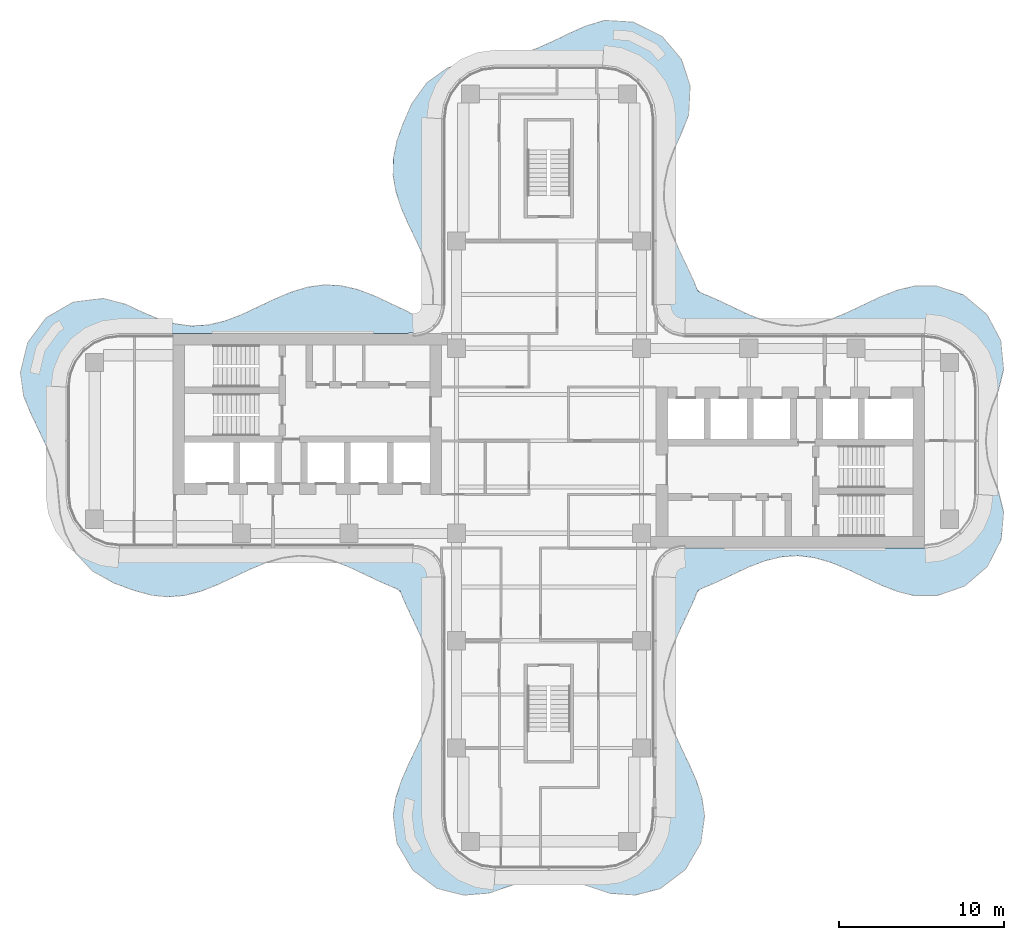
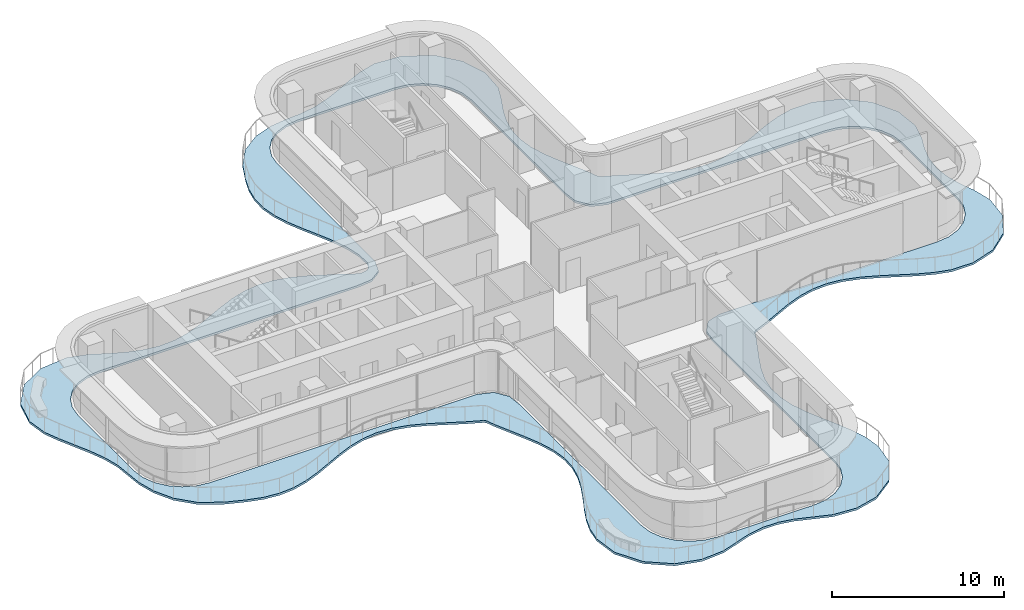
# One storey, part 9 of 17: 1 slab.
"""IFC4 building model written with IfcOpenShell, lengths in metres."""

from ifc_helpers import new_model, si_unit, direction, frame, origin, place, context, subcontext, project, spatial, polyline, outline, extrude, material, layer, layer_set, type_object, element, save


model = new_model("IFC4")

# Units and contexts
model_context = context("Model", 3, precision=1e-05, world=origin(), true_north=direction((0.0, 1.0)))
body_context = subcontext(model_context, "Body", "Model", "MODEL_VIEW")
ifc_project = project(units=[si_unit("LENGTHUNIT", "METRE"), si_unit("AREAUNIT", "SQUARE_METRE"), si_unit("VOLUMEUNIT", "CUBIC_METRE"), si_unit("PLANEANGLEUNIT", "RADIAN"), si_unit("MASSUNIT", "GRAM", prefix="KILO")], contexts=[model_context])

# Site, building, storey
site_placement = place(None, origin())
site = spatial("IfcSite", under=ifc_project, at=site_placement, CompositionType="ELEMENT")
building_placement = place(site_placement, origin())
building = spatial("IfcBuilding", under=site, at=building_placement, Name="Trellis Farm Tower", CompositionType="ELEMENT")
storey_placement = place(building_placement, frame((0.0, 0.0, 236.300048828125)))
storey = spatial("IfcBuildingStorey", under=building, at=storey_placement, Name="L52", CompositionType="ELEMENT", Elevation=236.300048828125)

# Slab
ifc_material = material(Name="Concrete C40/50", Category="concrete")
ifc_layer = layer(ifc_material, 0.14990234375)
ifc_layer_set = layer_set([ifc_layer], Name="Balcony slab 150")
slab_type = type_object("IfcSlabType", Name="Balcony slab 150", PredefinedType="FLOOR", material=ifc_layer_set)
slab_placement = place(storey_placement, frame((0.0, 0.0, -0.150146484375)))
element("IfcSlab", 1, at=slab_placement, inside=storey, type_object=slab_type, Name="Balcony slab", PredefinedType="FLOOR", context=body_context, shape_type="SweptSolid", body=[
    extrude(outline(polyline([(-9.157470703125, -8.981689453125), (-10.110107421875, -8.577880859375), (-10.115478515625, -8.575439453125), (-12.1162109375, -7.631103515625), (-12.121826171875, -7.62890625), (-13.123779296875, -7.25048828125), (-13.13330078125, -7.247802734375), (-14.12939453125, -7.0146484375), (-14.142333984375, -7.0126953125), (-15.130126953125, -6.95703125), (-15.143798828125, -6.95751953125), (-16.125, -7.08349609375), (-16.136474609375, -7.0859375), (-17.11669921875, -7.373779296875), (-17.12451171875, -7.376708984375), (-18.108642578125, -7.786376953125), (-18.11181640625, -7.78759765625), (-20.090087890625, -8.724609375), (-20.099853515625, -8.728759765625), (-21.08056640625, -9.111572265625), (-21.09814453125, -9.1171875), (-22.07177734375, -9.36474609375), (-22.0966796875, -9.368896484375), (-23.0673828125, -9.447021484375), (-23.09521484375, -9.446533203125), (-24.070068359375, -9.34375), (-24.094482421875, -9.339111328125), (-25.09619140625, -9.0615234375), (-25.107421875, -9.057861328125), (-26.28076171875, -8.6318359375), (-26.30224609375, -8.6220703125), (-27.629150390625, -7.88671875), (-27.666015625, -7.858154296875), (-28.643798828125, -6.814697265625), (-28.667724609375, -6.780517578125), (-29.2705078125, -5.60302734375), (-29.28173828125, -5.57373046875), (-29.588623046875, -4.43212890625), (-29.59326171875, -4.406982421875), (-29.7900390625, -2.286376953125), (-29.7919921875, -2.2744140625), (-30.052490234375, -1.276611328125), (-30.055419921875, -1.267822265625), (-30.46142578125, -0.2451171875), (-30.46337890625, -0.24072265625), (-31.40087890625, 1.7373046875), (-31.404296875, 1.744873046875), (-31.796875, 2.70751953125), (-31.806396484375, 2.742919921875), (-31.99560546875, 4.063720703125), (-31.996826171875, 4.09228515625), (-31.9951171875, 4.128173828125), (-31.9912109375, 4.15576171875), (-31.579833984375, 5.87841796875), (-31.56982421875, 5.906982421875), (-31.55322265625, 5.9423828125), (-31.537841796875, 5.968505859375), (-30.439208984375, 7.4462890625), (-30.41796875, 7.46923828125), (-30.3876953125, 7.49609375), (-30.362060546875, 7.51416015625), (-28.790283203125, 8.399169921875), (-28.7626953125, 8.4111328125), (-28.7255859375, 8.423095703125), (-28.696044921875, 8.429443359375), (-26.982421875, 8.61962890625), (-26.954345703125, 8.6201171875), (-26.917724609375, 8.6171875), (-26.889892578125, 8.6123046875), (-25.629150390625, 8.268310546875), (-25.604248046875, 8.259033203125), (-24.59521484375, 7.780517578125), (-24.591796875, 7.77880859375), (-23.62451171875, 7.376708984375), (-23.616943359375, 7.373779296875), (-22.636474609375, 7.0859375), (-22.625, 7.08349609375), (-21.643798828125, 6.95751953125), (-21.630126953125, 6.95703125), (-20.642333984375, 7.0126953125), (-20.62939453125, 7.0146484375), (-19.63330078125, 7.247802734375), (-19.623779296875, 7.25048828125), (-18.621826171875, 7.62890625), (-18.6162109375, 7.631103515625), (-16.615478515625, 8.575439453125), (-16.610107421875, 8.577880859375), (-15.6083984375, 9.001220703125), (-15.593505859375, 9.0068359375), (-14.608642578125, 9.3037109375), (-14.58544921875, 9.308837890625), (-13.609375, 9.44140625), (-13.581787109375, 9.442626953125), (-12.610595703125, 9.39453125), (-12.5849609375, 9.39111328125), (-11.6123046875, 9.169921875), (-11.59326171875, 9.164306640625), (-10.6142578125, 8.80078125), (-10.6025390625, 8.7958984375), (-8.62548828125, 7.864501953125), (-8.616455078125, 7.860107421875), (-8.04150390625, 7.540283203125), (-8.0205078125, 7.532470703125), (-7.839111328125, 7.494384765625), (-7.81689453125, 7.4931640625), (-7.510009765625, 7.522216796875), (-7.49267578125, 7.52587890625), (-7.36279296875, 7.57080078125), (-7.33349609375, 7.58935546875), (-7.23828125, 7.6884765625), (-7.227783203125, 7.702392578125), (-7.0224609375, 8.05322265625), (-7.014404296875, 8.072265625), (-6.971923828125, 8.23779296875), (-6.9697265625, 8.2587890625), (-6.998046875, 9.12890625), (-6.999755859375, 9.14208984375), (-7.197265625, 10.07470703125), (-7.199951171875, 10.084716796875), (-7.568115234375, 11.112548828125), (-7.570556640625, 11.118408203125), (-8.019775390625, 12.104248046875), (-8.0205078125, 12.105712890625), (-8.500732421875, 13.101318359375), (-8.503173828125, 13.106201171875), (-8.931884765625, 14.085693359375), (-8.93701171875, 14.098876953125), (-9.2578125, 15.075927734375), (-9.26318359375, 15.097412109375), (-9.4287109375, 16.06884765625), (-9.430908203125, 16.095947265625), (-9.41845703125, 17.06787109375), (-9.41552734375, 17.0947265625), (-9.21875, 18.097412109375), (-9.213134765625, 18.1181640625), (-8.87060546875, 19.095947265625), (-8.86669921875, 19.105712890625), (-8.3173828125, 20.37890625), (-8.301513671875, 20.40673828125), (-7.412109375, 21.64892578125), (-7.378173828125, 21.68310546875), (-6.193603515625, 22.540771484375), (-6.15576171875, 22.560546875), (-4.96630859375, 22.98291015625), (-4.937744140625, 22.989990234375), (-3.819580078125, 23.152587890625), (-3.80810546875, 23.15380859375), (-2.73486328125, 23.226806640625), (-2.726318359375, 23.22802734375), (-1.732421875, 23.413818359375), (-1.72216796875, 23.41650390625), (-0.74072265625, 23.75048828125), (-0.734619140625, 23.7529296875), (0.24072265625, 24.18603515625), (0.242919921875, 24.18701171875), (1.2421875, 24.669677734375), (1.24560546875, 24.67138671875), (2.224853515625, 25.112060546875), (2.243896484375, 25.119140625), (3.37646484375, 25.45263671875), (3.40234375, 25.4580078125), (3.436279296875, 25.461669921875), (3.462890625, 25.462158203125), (5.107177734375, 25.35205078125), (5.136962890625, 25.34716796875), (5.1748046875, 25.336669921875), (5.202880859375, 25.32568359375), (6.84619140625, 24.48828125), (6.87158203125, 24.471923828125), (6.90185546875, 24.44775390625), (6.92333984375, 24.4267578125), (7.983154296875, 23.163818359375), (7.999267578125, 23.140380859375), (8.01708984375, 23.108154296875), (8.028564453125, 23.082275390625), (8.550048828125, 21.502685546875), (8.556396484375, 21.475830078125), (8.56103515625, 21.440673828125), (8.562255859375, 21.412109375), (8.470703125, 19.772216796875), (8.460693359375, 19.7255859375), (8.021484375, 18.609619140625), (8.0185546875, 18.602294921875), (7.559814453125, 17.591796875), (7.5576171875, 17.586181640625), (7.213134765625, 16.630615234375), (7.210205078125, 16.62109375), (6.99951171875, 15.64111328125), (6.997802734375, 15.628173828125), (6.961669921875, 14.644287109375), (6.96240234375, 14.630615234375), (7.109130859375, 13.63818359375), (7.11181640625, 13.626953125), (7.423095703125, 12.62744140625), (7.42578125, 12.6201171875), (7.856689453125, 11.615966796875), (7.85791015625, 11.613037109375), (8.341552734375, 10.6083984375), (8.342529296875, 10.606201171875), (8.79638671875, 9.620849609375), (8.80078125, 9.6103515625), (8.9560546875, 9.1923828125), (8.962890625, 9.1787109375), (9.025634765625, 9.078125), (9.04638671875, 9.056396484375), (9.14404296875, 8.989013671875), (9.157470703125, 8.981689453125), (10.110107421875, 8.577880859375), (10.115478515625, 8.575439453125), (12.09326171875, 7.640869140625), (12.0986328125, 7.638671875), (13.080810546875, 7.263916015625), (13.090087890625, 7.260986328125), (14.06982421875, 7.0234375), (14.08251953125, 7.021484375), (15.065185546875, 6.955078125), (15.0791015625, 6.95556640625), (16.069580078125, 7.072021484375), (16.081787109375, 7.07470703125), (17.11669921875, 7.373779296875), (17.124755859375, 7.376708984375), (18.108642578125, 7.786376953125), (18.11181640625, 7.78759765625), (20.090087890625, 8.724609375), (20.10009765625, 8.728759765625), (21.100830078125, 9.1181640625), (21.119384765625, 9.123779296875), (22.101806640625, 9.3671875), (22.13818359375, 9.37158203125), (23.482666015625, 9.36962890625), (23.530029296875, 9.36181640625), (25.09326171875, 8.83837890625), (25.119384765625, 8.82666015625), (25.151611328125, 8.80859375), (25.17529296875, 8.7919921875), (26.500244140625, 7.663330078125), (26.520263671875, 7.642822265625), (26.543212890625, 7.61376953125), (26.55908203125, 7.58984375), (27.355224609375, 6.073486328125), (27.3662109375, 6.046875), (27.376708984375, 6.011474609375), (27.38232421875, 5.982177734375), (27.533203125, 4.34814453125), (27.529296875, 4.2978515625), (27.212646484375, 3.0302734375), (27.206787109375, 3.01171875), (26.81787109375, 2.02099609375), (26.815185546875, 2.012939453125), (26.552490234375, 1.03369140625), (26.55029296875, 1.02099609375), (26.45361328125, -0.025390625), (26.45361328125, -0.03955078125), (26.550048828125, -1.021240234375), (26.55224609375, -1.033447265625), (26.815185546875, -2.012939453125), (26.81787109375, -2.02099609375), (27.206787109375, -3.01171875), (27.212646484375, -3.0302734375), (27.529296875, -4.2978515625), (27.533203125, -4.34814453125), (27.38232421875, -5.982177734375), (27.376708984375, -6.011474609375), (27.3662109375, -6.046875), (27.355224609375, -6.073486328125), (26.55908203125, -7.58984375), (26.543212890625, -7.61376953125), (26.520263671875, -7.642822265625), (26.500244140625, -7.663330078125), (25.17529296875, -8.7919921875), (25.151611328125, -8.80859375), (25.119384765625, -8.82666015625), (25.09326171875, -8.83837890625), (23.5302734375, -9.36181640625), (23.482421875, -9.369384765625), (22.096435546875, -9.3662109375), (22.059814453125, -9.36181640625), (21.09814453125, -9.1171875), (21.08056640625, -9.111572265625), (20.110595703125, -8.7333984375), (20.100830078125, -8.729248046875), (18.11181640625, -7.787841796875), (18.1083984375, -7.786376953125), (17.08837890625, -7.36376953125), (17.080322265625, -7.361083984375), (16.081787109375, -7.074462890625), (16.06982421875, -7.072021484375), (15.0791015625, -6.95556640625), (15.065185546875, -6.955078125), (14.08251953125, -7.021484375), (14.06982421875, -7.0234375), (13.090087890625, -7.260986328125), (13.080810546875, -7.263916015625), (12.0986328125, -7.638671875), (12.09326171875, -7.640869140625), (10.115478515625, -8.575439453125), (10.110107421875, -8.577880859375), (9.157470703125, -8.981689453125), (9.14404296875, -8.989013671875), (9.04638671875, -9.056396484375), (9.025634765625, -9.078125), (8.962890625, -9.1787109375), (8.9560546875, -9.1923828125), (8.80078125, -9.609619140625), (8.7958984375, -9.621337890625), (7.864013671875, -11.60009765625), (7.86279296875, -11.602294921875), (7.438232421875, -12.587158203125), (7.435546875, -12.59423828125), (7.123779296875, -13.574951171875), (7.121337890625, -13.5859375), (6.96630859375, -14.56640625), (6.965576171875, -14.580078125), (6.990478515625, -15.56640625), (6.9921875, -15.57958984375), (7.197265625, -16.57470703125), (7.199951171875, -16.584716796875), (7.5576171875, -17.586181640625), (7.559814453125, -17.591796875), (8.0166015625, -18.597412109375), (8.01708984375, -18.598876953125), (8.500732421875, -19.60107421875), (8.503173828125, -19.606201171875), (8.937744140625, -20.60107421875), (8.94287109375, -20.61474609375), (9.263427734375, -21.60107421875), (9.269287109375, -21.625732421875), (9.42578125, -22.696533203125), (9.42578125, -22.73828125), (9.215087890625, -24.29443359375), (9.208251953125, -24.3232421875), (9.19580078125, -24.359619140625), (9.183349609375, -24.38623046875), (8.260986328125, -25.9619140625), (8.243408203125, -25.986083984375), (8.2177734375, -26.014892578125), (8.195556640625, -26.03515625), (6.792724609375, -27.082763671875), (6.767578125, -27.097900390625), (6.7333984375, -27.114013671875), (6.7060546875, -27.1240234375), (5.2451171875, -27.499267578125), (5.197509765625, -27.50341796875), (3.70751953125, -27.3994140625), (3.670166015625, -27.391845703125), (1.478759765625, -26.653564453125), (1.46826171875, -26.65087890625), (0.537353515625, -26.48046875), (0.524169921875, -26.479248046875), (-0.460693359375, -26.4736328125), (-0.474609375, -26.474853515625), (-1.517333984375, -26.663818359375), (-1.5283203125, -26.66650390625), (-3.627197265625, -27.383056640625), (-3.663818359375, -27.390625), (-5.140625, -27.50830078125), (-5.189208984375, -27.504150390625), (-6.70556640625, -27.1240234375), (-6.73388671875, -27.114013671875), (-6.767578125, -27.097900390625), (-6.792724609375, -27.082763671875), (-8.195556640625, -26.03515625), (-8.2177734375, -26.014892578125), (-8.243408203125, -25.986083984375), (-8.260986328125, -25.9619140625), (-9.183349609375, -24.38623046875), (-9.19580078125, -24.359619140625), (-9.2080078125, -24.323486328125), (-9.215087890625, -24.294189453125), (-9.425537109375, -22.68896484375), (-9.425048828125, -22.64697265625), (-9.269287109375, -21.625244140625), (-9.263671875, -21.6015625), (-8.94287109375, -20.61474609375), (-8.937744140625, -20.60107421875), (-8.503173828125, -19.606201171875), (-8.500732421875, -19.60107421875), (-8.0205078125, -18.605712890625), (-8.019775390625, -18.604248046875), (-7.570556640625, -17.6181640625), (-7.568115234375, -17.612548828125), (-7.213134765625, -16.630859375), (-7.210205078125, -16.62109375), (-6.99951171875, -15.64111328125), (-6.997802734375, -15.628173828125), (-6.961669921875, -14.644287109375), (-6.96240234375, -14.630615234375), (-7.109130859375, -13.63818359375), (-7.11181640625, -13.626953125), (-7.423095703125, -12.62744140625), (-7.42578125, -12.6201171875), (-7.86279296875, -11.602294921875), (-7.864013671875, -11.60009765625), (-8.7958984375, -9.621337890625), (-8.80078125, -9.609619140625), (-8.9560546875, -9.1923828125), (-8.962890625, -9.1787109375), (-9.025634765625, -9.078125), (-9.04638671875, -9.056396484375), (-9.14404296875, -8.989013671875), (-9.157470703125, -8.981689453125)]), holes=[polyline([(-7.210693359375, -6.823974609375), (-7.16552734375, -6.857421875), (-7.133056640625, -6.890380859375), (-6.643798828125, -7.5703125), (-6.62548828125, -7.604248046875), (-6.608154296875, -7.64990234375), (-6.59912109375, -7.6875), (-6.500732421875, -8.61181640625), (-6.50048828125, -8.616455078125), (-6.50048828125, -22.75), (-6.389892578125, -23.59130859375), (-6.065185546875, -24.375244140625), (-5.548583984375, -25.048583984375), (-4.875244140625, -25.565185546875), (-4.09130859375, -25.889892578125), (-3.25, -26.00048828125), (3.25, -26.00048828125), (4.09130859375, -25.889892578125), (4.875244140625, -25.565185546875), (5.548583984375, -25.048583984375), (6.065185546875, -24.375244140625), (6.389892578125, -23.59130859375), (6.50048828125, -22.75), (6.50048828125, -8.616455078125), (6.500732421875, -8.61181640625), (6.59912109375, -7.6875), (6.608154296875, -7.64990234375), (6.62548828125, -7.604248046875), (6.643798828125, -7.5703125), (7.133056640625, -6.890380859375), (7.16552734375, -6.857421875), (7.210693359375, -6.823974609375), (7.252685546875, -6.802001953125), (8.116455078125, -6.515380859375), (8.16357421875, -6.507568359375), (20.997802734375, -6.50048828125), (22.75, -6.50048828125), (23.59130859375, -6.389892578125), (24.375244140625, -6.065185546875), (25.048583984375, -5.548583984375), (25.565185546875, -4.875244140625), (25.889892578125, -4.09130859375), (26.00048828125, -3.25), (26.00048828125, 3.25), (25.889892578125, 4.09130859375), (25.565185546875, 4.875244140625), (25.048583984375, 5.548583984375), (24.375244140625, 6.065185546875), (23.59130859375, 6.389892578125), (22.75, 6.50048828125), (20.997802734375, 6.50048828125), (8.16357421875, 6.507568359375), (8.116455078125, 6.515380859375), (7.252685546875, 6.802001953125), (7.210693359375, 6.823974609375), (7.16552734375, 6.857421875), (7.133056640625, 6.890380859375), (6.643798828125, 7.5703125), (6.62548828125, 7.604248046875), (6.608154296875, 7.64990234375), (6.59912109375, 7.6875), (6.501953125, 8.593017578125), (6.5009765625, 8.609130859375), (6.50048828125, 12.591552734375), (6.50048828125, 19.5), (6.389892578125, 20.34130859375), (6.065185546875, 21.125244140625), (5.548583984375, 21.798583984375), (4.875244140625, 22.315185546875), (4.09130859375, 22.639892578125), (3.25, 22.75048828125), (-3.25, 22.75048828125), (-4.09130859375, 22.639892578125), (-4.875244140625, 22.315185546875), (-5.548583984375, 21.798583984375), (-6.065185546875, 21.125244140625), (-6.389892578125, 20.34130859375), (-6.50048828125, 19.5), (-6.50048828125, 18.26318359375), (-6.508056640625, 8.158203125), (-6.515869140625, 8.110595703125), (-6.8046875, 7.248046875), (-6.82666015625, 7.205810546875), (-6.860595703125, 7.16064453125), (-6.8935546875, 7.12841796875), (-7.575927734375, 6.64208984375), (-7.60986328125, 6.623779296875), (-7.6552734375, 6.606689453125), (-7.69287109375, 6.59765625), (-8.61767578125, 6.500732421875), (-8.62158203125, 6.50048828125), (-26.0, 6.50048828125), (-26.84130859375, 6.389892578125), (-27.625244140625, 6.065185546875), (-28.298583984375, 5.548583984375), (-28.815185546875, 4.875244140625), (-29.139892578125, 4.09130859375), (-29.25048828125, 3.25), (-29.25048828125, -3.25), (-29.139892578125, -4.09130859375), (-28.815185546875, -4.875244140625), (-28.298583984375, -5.548583984375), (-27.625244140625, -6.065185546875), (-26.84130859375, -6.389892578125), (-26.0, -6.50048828125), (-23.765625, -6.50048828125), (-8.16357421875, -6.507568359375), (-8.116455078125, -6.515380859375), (-7.252685546875, -6.802001953125), (-7.210693359375, -6.823974609375)])]), origin(), (0.0, 0.0, 1.0), 0.150146484375),
])

save(model, "model.ifc")
